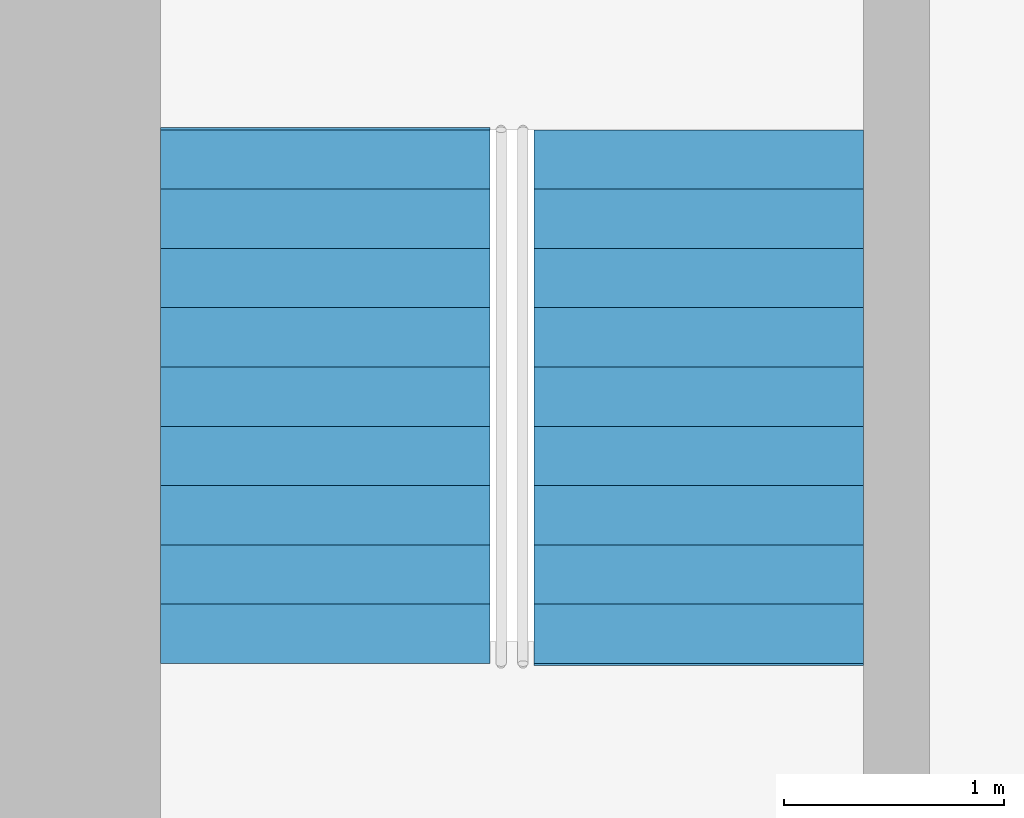
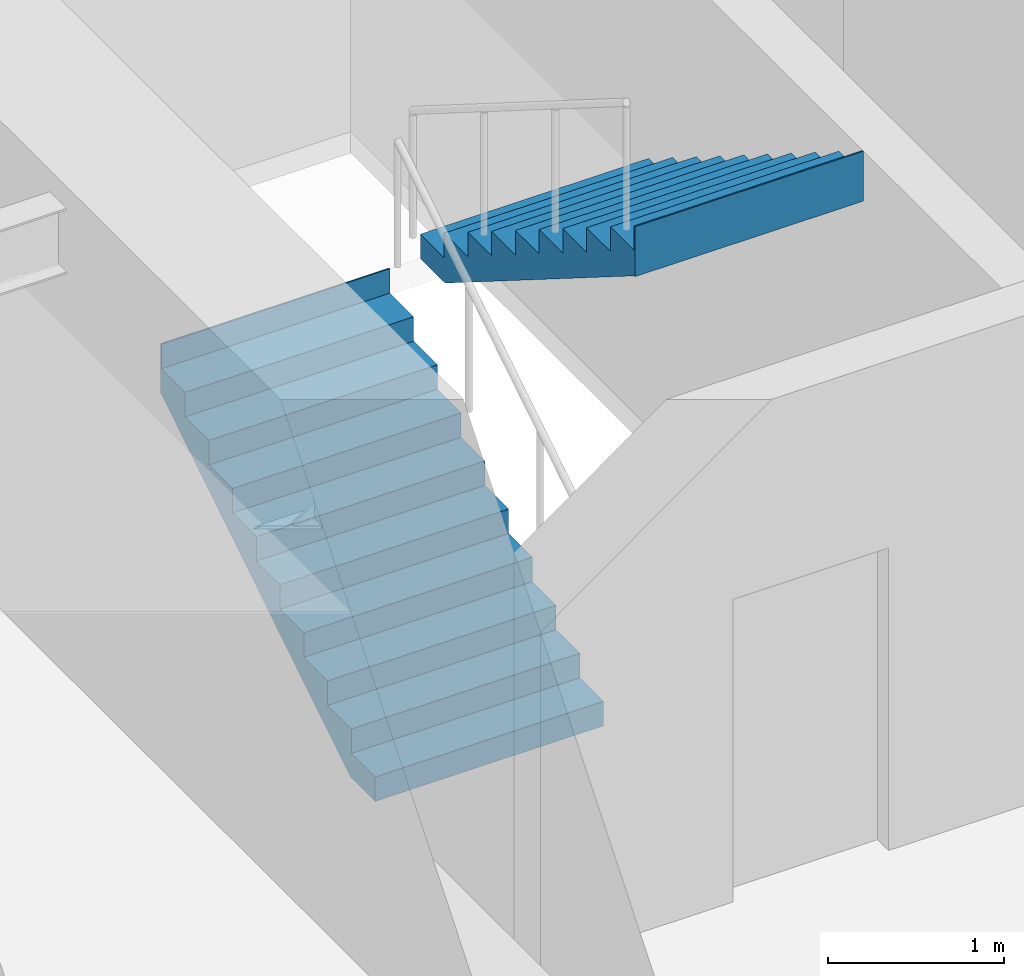
# One storey, part 12 of 13: 2 stair flights, 1 element without a shape of its own.
"""IFC4 building model written with IfcOpenShell, lengths in metres."""

from ifc_helpers import new_model, si_unit, direction, frame, origin, place, context, subcontext, project, spatial, polyline, outline, extrude, material, type_object, element, aggregate, save


model = new_model("IFC4")

# Units and contexts
model_context = context("Model", 3, precision=1e-05, world=origin(), true_north=direction((0.0, 1.0)))
body_context = subcontext(model_context, "Body", "Model", "MODEL_VIEW")
ifc_project = project(units=[si_unit("LENGTHUNIT", "METRE"), si_unit("AREAUNIT", "SQUARE_METRE"), si_unit("VOLUMEUNIT", "CUBIC_METRE"), si_unit("PLANEANGLEUNIT", "RADIAN"), si_unit("MASSUNIT", "GRAM", prefix="KILO")], contexts=[model_context])

# Site, building, storey
site_placement = place(None, origin())
site = spatial("IfcSite", under=ifc_project, at=site_placement, CompositionType="ELEMENT")
building_placement = place(site_placement, origin())
building = spatial("IfcBuilding", under=site, at=building_placement, Name="Torsade Residences", CompositionType="ELEMENT")
storey_placement = place(building_placement, frame((0.0, 0.0, 160.800048828125)))
storey = spatial("IfcBuildingStorey", under=building, at=storey_placement, Name="L44", CompositionType="ELEMENT", Elevation=160.800048828125)

# Stair, stair flights
ifc_material_1 = material(Name="Precast concrete 40 MPa", Category="concrete")
stair_type = type_object("IfcStairType", Name="HALF-TURN FIRE STAIR 1500x3400", PredefinedType="HALF_TURN_STAIR", material=ifc_material_1)
stair_placement = place(storey_placement, origin())
stair = element("IfcStair", 1, at=stair_placement, inside=storey, type_object=stair_type, Name="Stair ST1 L44", PredefinedType="HALF_TURN_STAIR")
ifc_material_2 = material(Name="Precast concrete 40 MPa", Category="concrete")
stair_flight_type = type_object("IfcStairFlightType", Name="PRECAST STAIR FLIGHT 1500x1700", PredefinedType="STRAIGHT", material=ifc_material_2)
stair_flight_1_placement = place(storey_placement, frame((29.550048828125, 33.780029296875, 0.0), z_axis=(0.0, 0.0, 1.0), x_axis=(0.0, 1.0, 0.0)))
stair_flight_1 = element("IfcStairFlight", 2, at=stair_flight_1_placement, type_object=stair_flight_type, Name="ST1 flight 1", NumberOfRisers=10, NumberOfTreads=9, PredefinedType="STRAIGHT", RiserHeight=0.17, TreadLength=0.27, context=body_context, shape_type="SweptSolid", body=[
    extrude(outline(polyline([(0.0, 0.0), (0.0, 0.169921875), (0.27001953125, 0.169921875), (0.27001953125, 0.340087890625), (0.5400390625, 0.340087890625), (0.5400390625, 0.510009765625), (0.81005859375, 0.510009765625), (0.81005859375, 0.679931640625), (1.080078125, 0.679931640625), (1.080078125, 0.85009765625), (1.35009765625, 0.85009765625), (1.35009765625, 1.02001953125), (1.6201171875, 1.02001953125), (1.6201171875, 1.18994140625), (1.889892578125, 1.18994140625), (1.889892578125, 1.360107421875), (2.159912109375, 1.360107421875), (2.159912109375, 1.530029296875), (2.429931640625, 1.530029296875), (2.429931640625, 1.699951171875), (2.43994140625, 1.699951171875), (2.43994140625, 1.352783203125), (2.429931640625, 1.352783203125), (0.28125, 0.0), (0.0, 0.0)])), frame((0.0, 0.75, 0.0), z_axis=(0.0, -1.0, 0.0), x_axis=(1.0, 0.0, 0.0)), (0.0, 0.0, 1.0), 1.5),
])
stair_flight_2_placement = place(storey_placement, frame((31.25, 36.2099609375, 1.699951171875), z_axis=(0.0, 0.0, 1.0), x_axis=(0.0, -1.0, 0.0)))
stair_flight_2 = element("IfcStairFlight", 3, at=stair_flight_2_placement, type_object=stair_flight_type, Name="ST1 flight 2", NumberOfRisers=10, NumberOfTreads=9, PredefinedType="STRAIGHT", RiserHeight=0.17, TreadLength=0.27, context=body_context, shape_type="SweptSolid", body=[
    extrude(outline(polyline([(0.0, 0.0), (0.0, 0.169921875), (0.27001953125, 0.169921875), (0.27001953125, 0.340087890625), (0.5400390625, 0.340087890625), (0.5400390625, 0.510009765625), (0.81005859375, 0.510009765625), (0.81005859375, 0.679931640625), (1.080078125, 0.679931640625), (1.080078125, 0.85009765625), (1.35009765625, 0.85009765625), (1.35009765625, 1.02001953125), (1.6201171875, 1.02001953125), (1.6201171875, 1.18994140625), (1.889892578125, 1.18994140625), (1.889892578125, 1.360107421875), (2.159912109375, 1.360107421875), (2.159912109375, 1.530029296875), (2.429931640625, 1.530029296875), (2.429931640625, 1.699951171875), (2.43994140625, 1.699951171875), (2.43994140625, 1.352783203125), (2.429931640625, 1.352783203125), (0.28125, 0.0), (0.0, 0.0)])), frame((0.0, 0.75, 0.0), z_axis=(0.0, -1.0, 0.0), x_axis=(1.0, 0.0, 0.0)), (0.0, 0.0, 1.0), 1.5),
])
aggregate(stair, [stair_flight_1, stair_flight_2])

save(model, "model.ifc")
